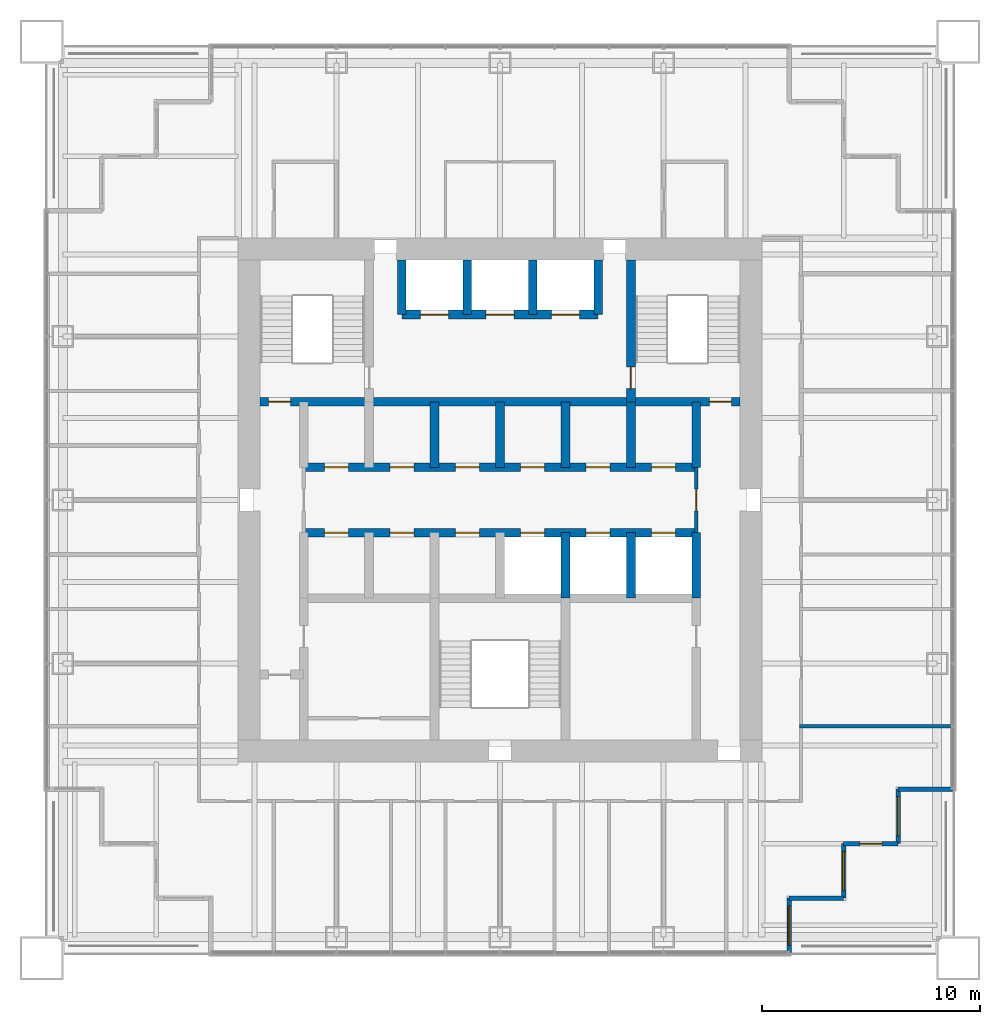
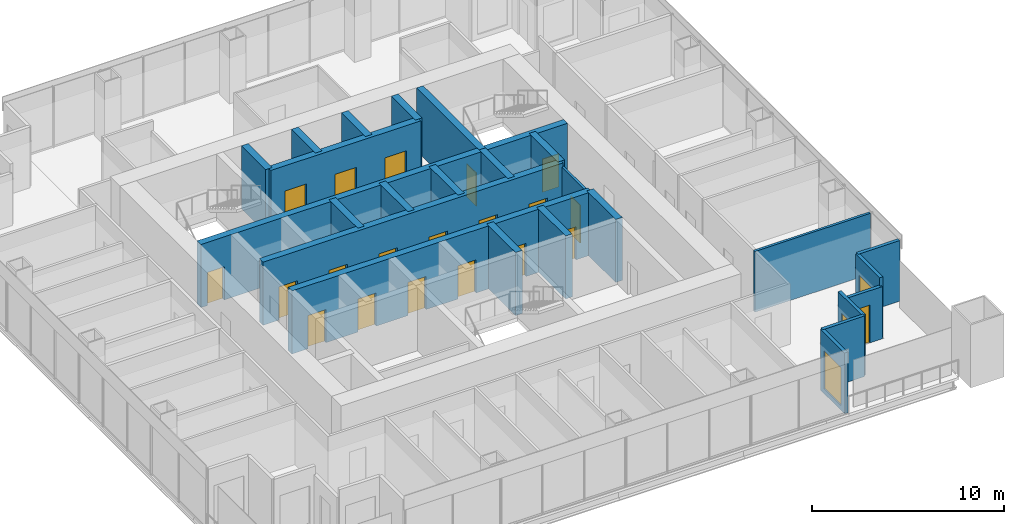
# One storey, part 11 of 15: 25 walls, 20 doors, 3 windows, 23 openings.
"""IFC4 building model written with IfcOpenShell, lengths in metres."""

from ifc_helpers import new_model, si_unit, direction, frame, frame_2d, origin, place, context, subcontext, project, spatial, rectangle, extrude, material, layer, layer_set, type_object, element, fill, save


model = new_model("IFC4")

# Units and contexts
model_context = context("Model", 3, precision=1e-05, world=origin(), true_north=direction((0.0, 1.0)))
body_context = subcontext(model_context, "Body", "Model", "MODEL_VIEW")
ifc_project = project(units=[si_unit("LENGTHUNIT", "METRE"), si_unit("AREAUNIT", "SQUARE_METRE"), si_unit("VOLUMEUNIT", "CUBIC_METRE"), si_unit("PLANEANGLEUNIT", "RADIAN"), si_unit("MASSUNIT", "GRAM", prefix="KILO")], contexts=[model_context])

# Site, building, storey
site_placement = place(None, origin())
site = spatial("IfcSite", under=ifc_project, at=site_placement, CompositionType="ELEMENT")
building_placement = place(site_placement, origin())
building = spatial("IfcBuilding", under=site, at=building_placement, Name="Tarangal Relay Tower", CompositionType="ELEMENT")
storey_placement = place(building_placement, frame((0.0, 0.0, 299.89990234375)))
storey = spatial("IfcBuildingStorey", under=building, at=storey_placement, Name="L66", CompositionType="ELEMENT", Elevation=299.89990234375)

# Wall, openings, doors
ifc_material_1 = material(Name="Concrete fc' 60 MPa", Category="concrete")
ifc_layer_1 = layer(ifc_material_1, 0.39990234375)
ifc_layer_set_1 = layer_set([ifc_layer_1], Name="Core inner wall 400")
wall_type_1 = type_object("IfcWallType", Name="Core inner wall 400", PredefinedType="SHEAR", material=ifc_layer_set_1)
wall_1_placement = place(storey_placement, frame((-11.0, 4.5, 0.0), z_axis=(0.0, 0.0, 1.0), x_axis=(1.0, 0.0, 0.0)))
wall_1 = element("IfcWall", 1, at=wall_1_placement, inside=storey, type_object=wall_type_1, Name="Core wall Y45 L66", PredefinedType="SHEAR", context=body_context, shape_type="SweptSolid", body=[
    extrude(rectangle(XDim=22.0, YDim=0.39990234375, at=frame_2d((11.0, 0.0))), origin(), (0.0, 0.0, 1.0), 4.0),
])
opening_1_placement = place(wall_1_placement, frame((0.39990234375, 0.0, 0.0)))
opening_1 = element("IfcOpeningElement", 2, at=opening_1_placement, cuts=wall_1, Name="Opening FD1", PredefinedType="OPENING", context=body_context, shape_type="SweptSolid", body=[
    extrude(rectangle(XDim=1.0, YDim=2.10009765625, at=frame_2d((0.5, 1.050048828125))), frame((0.0, 0.2099609375, 0.0), z_axis=(0.0, -1.0, 0.0), x_axis=(1.0, 0.0, 0.0)), (0.0, 0.0, 1.0), 0.419921875),
])
opening_2_placement = place(wall_1_placement, frame((20.60009765625, 0.0, 0.0)))
opening_2 = element("IfcOpeningElement", 3, at=opening_2_placement, cuts=wall_1, Name="Opening FD1", PredefinedType="OPENING", context=body_context, shape_type="SweptSolid", body=[
    extrude(rectangle(XDim=1.0, YDim=2.10009765625, at=frame_2d((0.5, 1.050048828125))), frame((0.0, 0.2099609375, 0.0), z_axis=(0.0, -1.0, 0.0), x_axis=(1.0, 0.0, 0.0)), (0.0, 0.0, 1.0), 0.419921875),
])
ifc_material_2 = material(Name="Steel door with hardwood frame", Category="steel")
door_type_1 = type_object("IfcDoorType", Name="Fire door 1000 x 2100", OperationType="SINGLE_SWING_LEFT", PredefinedType="DOOR", material=ifc_material_2)
door_1_placement = place(opening_1_placement, origin())
door_1 = element("IfcDoor", 4, at=door_1_placement, inside=storey, type_object=door_type_1, Name="Stair ST-A door from corridor L66", OperationType="SINGLE_SWING_LEFT", OverallHeight=2.10009765625, OverallWidth=1.0, PredefinedType="DOOR", context=body_context, shape_type="SweptSolid", body=[
    extrude(rectangle(XDim=1.0, YDim=2.10009765625, at=frame_2d((0.5, 1.050048828125))), frame((0.0, 0.02490234375, 0.0), z_axis=(0.0, -1.0, 0.0), x_axis=(1.0, 0.0, 0.0)), (0.0, 0.0, 1.0), 0.050048828125),
])
fill(opening_1, door_1)
door_2_placement = place(opening_2_placement, origin())
door_2 = element("IfcDoor", 5, at=door_2_placement, inside=storey, type_object=door_type_1, Name="Stair ST-B door from corridor L66", OperationType="SINGLE_SWING_LEFT", OverallHeight=2.10009765625, OverallWidth=1.0, PredefinedType="DOOR", context=body_context, shape_type="SweptSolid", body=[
    extrude(rectangle(XDim=1.0, YDim=2.10009765625, at=frame_2d((0.5, 1.050048828125))), frame((0.0, 0.02490234375, 0.0), z_axis=(0.0, -1.0, 0.0), x_axis=(1.0, 0.0, 0.0)), (0.0, 0.0, 1.0), 0.050048828125),
])
fill(opening_2, door_2)

wall_2_placement = place(storey_placement, frame((-9.0, 1.5, 0.0), z_axis=(0.0, 0.0, 1.0), x_axis=(1.0, 0.0, 0.0)))
wall_2 = element("IfcWall", 6, at=wall_2_placement, inside=storey, type_object=wall_type_1, Name="Core wall Y15 L66", PredefinedType="SHEAR", context=body_context, shape_type="SweptSolid", body=[
    extrude(rectangle(XDim=18.0, YDim=0.39990234375, at=frame_2d((9.0, 0.0))), origin(), (0.0, 0.0, 1.0), 4.0),
])
opening_3_placement = place(wall_2_placement, frame((0.949951171875, 0.0, 0.0)))
opening_3 = element("IfcOpeningElement", 7, at=opening_3_placement, cuts=wall_2, Name="Opening D4", PredefinedType="OPENING", context=body_context, shape_type="SweptSolid", body=[
    extrude(rectangle(XDim=1.10009765625, YDim=2.10009765625, at=frame_2d((0.550048828125, 1.050048828125))), frame((0.0, 0.2099609375, 0.0), z_axis=(0.0, -1.0, 0.0), x_axis=(1.0, 0.0, 0.0)), (0.0, 0.0, 1.0), 0.419921875),
])
opening_4_placement = place(wall_2_placement, frame((3.949951171875, 0.0, 0.0)))
opening_4 = element("IfcOpeningElement", 8, at=opening_4_placement, cuts=wall_2, Name="Opening D4", PredefinedType="OPENING", context=body_context, shape_type="SweptSolid", body=[
    extrude(rectangle(XDim=1.10009765625, YDim=2.10009765625, at=frame_2d((0.550048828125, 1.050048828125))), frame((0.0, 0.2099609375, 0.0), z_axis=(0.0, -1.0, 0.0), x_axis=(1.0, 0.0, 0.0)), (0.0, 0.0, 1.0), 0.419921875),
])
opening_5_placement = place(wall_2_placement, frame((6.949951171875, 0.0, 0.0)))
opening_5 = element("IfcOpeningElement", 9, at=opening_5_placement, cuts=wall_2, Name="Opening D4", PredefinedType="OPENING", context=body_context, shape_type="SweptSolid", body=[
    extrude(rectangle(XDim=1.10009765625, YDim=2.10009765625, at=frame_2d((0.550048828125, 1.050048828125))), frame((0.0, 0.2099609375, 0.0), z_axis=(0.0, -1.0, 0.0), x_axis=(1.0, 0.0, 0.0)), (0.0, 0.0, 1.0), 0.419921875),
])
opening_6_placement = place(wall_2_placement, frame((9.949951171875, 0.0, 0.0)))
opening_6 = element("IfcOpeningElement", 10, at=opening_6_placement, cuts=wall_2, Name="Opening D4", PredefinedType="OPENING", context=body_context, shape_type="SweptSolid", body=[
    extrude(rectangle(XDim=1.10009765625, YDim=2.10009765625, at=frame_2d((0.550048828125, 1.050048828125))), frame((0.0, 0.2099609375, 0.0), z_axis=(0.0, -1.0, 0.0), x_axis=(1.0, 0.0, 0.0)), (0.0, 0.0, 1.0), 0.419921875),
])
opening_7_placement = place(wall_2_placement, frame((12.949951171875, 0.0, 0.0)))
opening_7 = element("IfcOpeningElement", 11, at=opening_7_placement, cuts=wall_2, Name="Opening D4", PredefinedType="OPENING", context=body_context, shape_type="SweptSolid", body=[
    extrude(rectangle(XDim=1.10009765625, YDim=2.10009765625, at=frame_2d((0.550048828125, 1.050048828125))), frame((0.0, 0.2099609375, 0.0), z_axis=(0.0, -1.0, 0.0), x_axis=(1.0, 0.0, 0.0)), (0.0, 0.0, 1.0), 0.419921875),
])
opening_8_placement = place(wall_2_placement, frame((15.949951171875, 0.0, 0.0)))
opening_8 = element("IfcOpeningElement", 12, at=opening_8_placement, cuts=wall_2, Name="Opening D4", PredefinedType="OPENING", context=body_context, shape_type="SweptSolid", body=[
    extrude(rectangle(XDim=1.10009765625, YDim=2.10009765625, at=frame_2d((0.550048828125, 1.050048828125))), frame((0.0, 0.2099609375, 0.0), z_axis=(0.0, -1.0, 0.0), x_axis=(1.0, 0.0, 0.0)), (0.0, 0.0, 1.0), 0.419921875),
])
door_type_2 = type_object("IfcDoorType", Name="Core room door 1100 x 2100", OperationType="SINGLE_SWING_RIGHT", PredefinedType="DOOR", material=ifc_material_2)
door_3_placement = place(opening_3_placement, origin())
door_3 = element("IfcDoor", 13, at=door_3_placement, inside=storey, type_object=door_type_2, Name="Door D4 to it room L66-D1", OperationType="SINGLE_SWING_RIGHT", OverallHeight=2.10009765625, OverallWidth=1.10009765625, PredefinedType="DOOR", context=body_context, shape_type="SweptSolid", body=[
    extrude(rectangle(XDim=1.10009765625, YDim=2.10009765625, at=frame_2d((0.550048828125, 1.050048828125))), frame((0.0, 0.02490234375, 0.0), z_axis=(0.0, -1.0, 0.0), x_axis=(1.0, 0.0, 0.0)), (0.0, 0.0, 1.0), 0.050048828125),
])
fill(opening_3, door_3)
door_4_placement = place(opening_4_placement, origin())
door_4 = element("IfcDoor", 14, at=door_4_placement, inside=storey, type_object=door_type_2, Name="Door D4 to cleaner's store L66-D2", OperationType="SINGLE_SWING_RIGHT", OverallHeight=2.10009765625, OverallWidth=1.10009765625, PredefinedType="DOOR", context=body_context, shape_type="SweptSolid", body=[
    extrude(rectangle(XDim=1.10009765625, YDim=2.10009765625, at=frame_2d((0.550048828125, 1.050048828125))), frame((0.0, 0.02490234375, 0.0), z_axis=(0.0, -1.0, 0.0), x_axis=(1.0, 0.0, 0.0)), (0.0, 0.0, 1.0), 0.050048828125),
])
fill(opening_4, door_4)
door_5_placement = place(opening_5_placement, origin())
door_5 = element("IfcDoor", 15, at=door_5_placement, inside=storey, type_object=door_type_2, Name="Door D4 to staff wc L66-D3", OperationType="SINGLE_SWING_RIGHT", OverallHeight=2.10009765625, OverallWidth=1.10009765625, PredefinedType="DOOR", context=body_context, shape_type="SweptSolid", body=[
    extrude(rectangle(XDim=1.10009765625, YDim=2.10009765625, at=frame_2d((0.550048828125, 1.050048828125))), frame((0.0, 0.02490234375, 0.0), z_axis=(0.0, -1.0, 0.0), x_axis=(1.0, 0.0, 0.0)), (0.0, 0.0, 1.0), 0.050048828125),
])
fill(opening_5, door_5)
door_6_placement = place(opening_6_placement, origin())
door_6 = element("IfcDoor", 16, at=door_6_placement, inside=storey, type_object=door_type_2, Name="Door D4 to staff pantry L66-T1", OperationType="SINGLE_SWING_RIGHT", OverallHeight=2.10009765625, OverallWidth=1.10009765625, PredefinedType="DOOR", context=body_context, shape_type="SweptSolid", body=[
    extrude(rectangle(XDim=1.10009765625, YDim=2.10009765625, at=frame_2d((0.550048828125, 1.050048828125))), frame((0.0, 0.02490234375, 0.0), z_axis=(0.0, -1.0, 0.0), x_axis=(1.0, 0.0, 0.0)), (0.0, 0.0, 1.0), 0.050048828125),
])
fill(opening_6, door_6)
door_7_placement = place(opening_7_placement, origin())
door_7 = element("IfcDoor", 17, at=door_7_placement, inside=storey, type_object=door_type_2, Name="Door D4 to it room L66-T2", OperationType="SINGLE_SWING_RIGHT", OverallHeight=2.10009765625, OverallWidth=1.10009765625, PredefinedType="DOOR", context=body_context, shape_type="SweptSolid", body=[
    extrude(rectangle(XDim=1.10009765625, YDim=2.10009765625, at=frame_2d((0.550048828125, 1.050048828125))), frame((0.0, 0.02490234375, 0.0), z_axis=(0.0, -1.0, 0.0), x_axis=(1.0, 0.0, 0.0)), (0.0, 0.0, 1.0), 0.050048828125),
])
fill(opening_7, door_7)
door_8_placement = place(opening_8_placement, origin())
door_8 = element("IfcDoor", 18, at=door_8_placement, inside=storey, type_object=door_type_2, Name="Door D4 to cleaner's store L66-T3", OperationType="SINGLE_SWING_RIGHT", OverallHeight=2.10009765625, OverallWidth=1.10009765625, PredefinedType="DOOR", context=body_context, shape_type="SweptSolid", body=[
    extrude(rectangle(XDim=1.10009765625, YDim=2.10009765625, at=frame_2d((0.550048828125, 1.050048828125))), frame((0.0, 0.02490234375, 0.0), z_axis=(0.0, -1.0, 0.0), x_axis=(1.0, 0.0, 0.0)), (0.0, 0.0, 1.0), 0.050048828125),
])
fill(opening_8, door_8)

wall_3_placement = place(storey_placement, frame((-9.0, -1.5, 0.0), z_axis=(0.0, 0.0, 1.0), x_axis=(1.0, 0.0, 0.0)))
wall_3 = element("IfcWall", 19, at=wall_3_placement, inside=storey, type_object=wall_type_1, Name="Core wall YM15 L66", PredefinedType="SHEAR", context=body_context, shape_type="SweptSolid", body=[
    extrude(rectangle(XDim=18.0, YDim=0.39990234375, at=frame_2d((9.0, 0.0))), origin(), (0.0, 0.0, 1.0), 4.0),
])
opening_9_placement = place(wall_3_placement, frame((9.949951171875, 0.0, 0.0)))
opening_9 = element("IfcOpeningElement", 20, at=opening_9_placement, cuts=wall_3, Name="Opening LD1", PredefinedType="OPENING", context=body_context, shape_type="SweptSolid", body=[
    extrude(rectangle(XDim=1.10009765625, YDim=2.10009765625, at=frame_2d((0.550048828125, 1.050048828125))), frame((0.0, 0.2099609375, 0.0), z_axis=(0.0, -1.0, 0.0), x_axis=(1.0, 0.0, 0.0)), (0.0, 0.0, 1.0), 0.419921875),
])
opening_10_placement = place(wall_3_placement, frame((12.949951171875, 0.0, 0.0)))
opening_10 = element("IfcOpeningElement", 21, at=opening_10_placement, cuts=wall_3, Name="Opening LD1", PredefinedType="OPENING", context=body_context, shape_type="SweptSolid", body=[
    extrude(rectangle(XDim=1.10009765625, YDim=2.10009765625, at=frame_2d((0.550048828125, 1.050048828125))), frame((0.0, 0.2099609375, 0.0), z_axis=(0.0, -1.0, 0.0), x_axis=(1.0, 0.0, 0.0)), (0.0, 0.0, 1.0), 0.419921875),
])
opening_11_placement = place(wall_3_placement, frame((15.949951171875, 0.0, 0.0)))
opening_11 = element("IfcOpeningElement", 22, at=opening_11_placement, cuts=wall_3, Name="Opening LD1", PredefinedType="OPENING", context=body_context, shape_type="SweptSolid", body=[
    extrude(rectangle(XDim=1.10009765625, YDim=2.10009765625, at=frame_2d((0.550048828125, 1.050048828125))), frame((0.0, 0.2099609375, 0.0), z_axis=(0.0, -1.0, 0.0), x_axis=(1.0, 0.0, 0.0)), (0.0, 0.0, 1.0), 0.419921875),
])
opening_12_placement = place(wall_3_placement, frame((0.949951171875, 0.0, 0.0)))
opening_12 = element("IfcOpeningElement", 23, at=opening_12_placement, cuts=wall_3, Name="Opening D4", PredefinedType="OPENING", context=body_context, shape_type="SweptSolid", body=[
    extrude(rectangle(XDim=1.10009765625, YDim=2.10009765625, at=frame_2d((0.550048828125, 1.050048828125))), frame((0.0, 0.2099609375, 0.0), z_axis=(0.0, -1.0, 0.0), x_axis=(1.0, 0.0, 0.0)), (0.0, 0.0, 1.0), 0.419921875),
])
opening_13_placement = place(wall_3_placement, frame((3.949951171875, 0.0, 0.0)))
opening_13 = element("IfcOpeningElement", 24, at=opening_13_placement, cuts=wall_3, Name="Opening D4", PredefinedType="OPENING", context=body_context, shape_type="SweptSolid", body=[
    extrude(rectangle(XDim=1.10009765625, YDim=2.10009765625, at=frame_2d((0.550048828125, 1.050048828125))), frame((0.0, 0.2099609375, 0.0), z_axis=(0.0, -1.0, 0.0), x_axis=(1.0, 0.0, 0.0)), (0.0, 0.0, 1.0), 0.419921875),
])
opening_14_placement = place(wall_3_placement, frame((6.949951171875, 0.0, 0.0)))
opening_14 = element("IfcOpeningElement", 25, at=opening_14_placement, cuts=wall_3, Name="Opening D4", PredefinedType="OPENING", context=body_context, shape_type="SweptSolid", body=[
    extrude(rectangle(XDim=1.10009765625, YDim=2.10009765625, at=frame_2d((0.550048828125, 1.050048828125))), frame((0.0, 0.2099609375, 0.0), z_axis=(0.0, -1.0, 0.0), x_axis=(1.0, 0.0, 0.0)), (0.0, 0.0, 1.0), 0.419921875),
])
door_9_placement = place(opening_12_placement, origin())
door_9 = element("IfcDoor", 26, at=door_9_placement, inside=storey, type_object=door_type_2, Name="Door D4 to staff wc L66-S1", OperationType="SINGLE_SWING_RIGHT", OverallHeight=2.10009765625, OverallWidth=1.10009765625, PredefinedType="DOOR", context=body_context, shape_type="SweptSolid", body=[
    extrude(rectangle(XDim=1.10009765625, YDim=2.10009765625, at=frame_2d((0.550048828125, 1.050048828125))), frame((0.0, 0.02490234375, 0.0), z_axis=(0.0, -1.0, 0.0), x_axis=(1.0, 0.0, 0.0)), (0.0, 0.0, 1.0), 0.050048828125),
])
fill(opening_12, door_9)
door_10_placement = place(opening_13_placement, origin())
door_10 = element("IfcDoor", 27, at=door_10_placement, inside=storey, type_object=door_type_2, Name="Door D4 to staff pantry L66-S2", OperationType="SINGLE_SWING_RIGHT", OverallHeight=2.10009765625, OverallWidth=1.10009765625, PredefinedType="DOOR", context=body_context, shape_type="SweptSolid", body=[
    extrude(rectangle(XDim=1.10009765625, YDim=2.10009765625, at=frame_2d((0.550048828125, 1.050048828125))), frame((0.0, 0.02490234375, 0.0), z_axis=(0.0, -1.0, 0.0), x_axis=(1.0, 0.0, 0.0)), (0.0, 0.0, 1.0), 0.050048828125),
])
fill(opening_13, door_10)
door_11_placement = place(opening_14_placement, origin())
door_11 = element("IfcDoor", 28, at=door_11_placement, inside=storey, type_object=door_type_2, Name="Door D4 to it room L66-S3", OperationType="SINGLE_SWING_RIGHT", OverallHeight=2.10009765625, OverallWidth=1.10009765625, PredefinedType="DOOR", context=body_context, shape_type="SweptSolid", body=[
    extrude(rectangle(XDim=1.10009765625, YDim=2.10009765625, at=frame_2d((0.550048828125, 1.050048828125))), frame((0.0, 0.02490234375, 0.0), z_axis=(0.0, -1.0, 0.0), x_axis=(1.0, 0.0, 0.0)), (0.0, 0.0, 1.0), 0.050048828125),
])
fill(opening_14, door_11)
door_type_3 = type_object("IfcDoorType", Name="Lift landing door 1100 x 2100", OperationType="SLIDING_TO_LEFT", PredefinedType="DOOR", material=ifc_material_2)
door_12_placement = place(opening_9_placement, origin())
door_12 = element("IfcDoor", 29, at=door_12_placement, inside=storey, type_object=door_type_3, Name="Lift OH1 landing door L66", OperationType="SLIDING_TO_LEFT", OverallHeight=2.10009765625, OverallWidth=1.10009765625, PredefinedType="DOOR", context=body_context, shape_type="SweptSolid", body=[
    extrude(rectangle(XDim=1.10009765625, YDim=2.10009765625, at=frame_2d((0.550048828125, 1.050048828125))), frame((0.0, 0.02490234375, 0.0), z_axis=(0.0, -1.0, 0.0), x_axis=(1.0, 0.0, 0.0)), (0.0, 0.0, 1.0), 0.050048828125),
])
fill(opening_9, door_12)
door_13_placement = place(opening_10_placement, origin())
door_13 = element("IfcDoor", 30, at=door_13_placement, inside=storey, type_object=door_type_3, Name="Lift OH2 landing door L66", OperationType="SLIDING_TO_LEFT", OverallHeight=2.10009765625, OverallWidth=1.10009765625, PredefinedType="DOOR", context=body_context, shape_type="SweptSolid", body=[
    extrude(rectangle(XDim=1.10009765625, YDim=2.10009765625, at=frame_2d((0.550048828125, 1.050048828125))), frame((0.0, 0.02490234375, 0.0), z_axis=(0.0, -1.0, 0.0), x_axis=(1.0, 0.0, 0.0)), (0.0, 0.0, 1.0), 0.050048828125),
])
fill(opening_10, door_13)
door_14_placement = place(opening_11_placement, origin())
door_14 = element("IfcDoor", 31, at=door_14_placement, inside=storey, type_object=door_type_3, Name="Lift OH3 landing door L66", OperationType="SLIDING_TO_LEFT", OverallHeight=2.10009765625, OverallWidth=1.10009765625, PredefinedType="DOOR", context=body_context, shape_type="SweptSolid", body=[
    extrude(rectangle(XDim=1.10009765625, YDim=2.10009765625, at=frame_2d((0.550048828125, 1.050048828125))), frame((0.0, 0.02490234375, 0.0), z_axis=(0.0, -1.0, 0.0), x_axis=(1.0, 0.0, 0.0)), (0.0, 0.0, 1.0), 0.050048828125),
])
fill(opening_11, door_14)

wall_4_placement = place(storey_placement, frame((-4.5, 8.5, 0.0), z_axis=(0.0, 0.0, 1.0), x_axis=(1.0, 0.0, 0.0)))
wall_4 = element("IfcWall", 32, at=wall_4_placement, inside=storey, type_object=wall_type_1, Name="Core wall Y85 L66", PredefinedType="SHEAR", context=body_context, shape_type="SweptSolid", body=[
    extrude(rectangle(XDim=9.0, YDim=0.39990234375, at=frame_2d((4.5, 0.0))), origin(), (0.0, 0.0, 1.0), 4.0),
])
opening_15_placement = place(wall_4_placement, frame((0.85009765625, 0.0, 0.0)))
opening_15 = element("IfcOpeningElement", 33, at=opening_15_placement, cuts=wall_4, Name="Opening LD2", PredefinedType="OPENING", context=body_context, shape_type="SweptSolid", body=[
    extrude(rectangle(XDim=1.300048828125, YDim=2.39990234375, at=frame_2d((0.64990234375, 1.199951171875))), frame((0.0, 0.2099609375, 0.0), z_axis=(0.0, -1.0, 0.0), x_axis=(1.0, 0.0, 0.0)), (0.0, 0.0, 1.0), 0.419921875),
])
opening_16_placement = place(wall_4_placement, frame((6.85009765625, 0.0, 0.0)))
opening_16 = element("IfcOpeningElement", 34, at=opening_16_placement, cuts=wall_4, Name="Opening LD2", PredefinedType="OPENING", context=body_context, shape_type="SweptSolid", body=[
    extrude(rectangle(XDim=1.300048828125, YDim=2.39990234375, at=frame_2d((0.64990234375, 1.199951171875))), frame((0.0, 0.2099609375, 0.0), z_axis=(0.0, -1.0, 0.0), x_axis=(1.0, 0.0, 0.0)), (0.0, 0.0, 1.0), 0.419921875),
])
opening_17_placement = place(wall_4_placement, frame((3.85009765625, 0.0, 0.0)))
opening_17 = element("IfcOpeningElement", 35, at=opening_17_placement, cuts=wall_4, Name="Opening LD2", PredefinedType="OPENING", context=body_context, shape_type="SweptSolid", body=[
    extrude(rectangle(XDim=1.300048828125, YDim=2.39990234375, at=frame_2d((0.64990234375, 1.199951171875))), frame((0.0, 0.2099609375, 0.0), z_axis=(0.0, -1.0, 0.0), x_axis=(1.0, 0.0, 0.0)), (0.0, 0.0, 1.0), 0.419921875),
])
door_type_4 = type_object("IfcDoorType", Name="Lift landing door 1300 x 2400", OperationType="SLIDING_TO_LEFT", PredefinedType="DOOR", material=ifc_material_2)
door_15_placement = place(opening_15_placement, origin())
door_15 = element("IfcDoor", 36, at=door_15_placement, inside=storey, type_object=door_type_4, Name="Lift FF1 landing door L66", OperationType="SLIDING_TO_LEFT", OverallHeight=2.39990234375, OverallWidth=1.300048828125, PredefinedType="DOOR", context=body_context, shape_type="SweptSolid", body=[
    extrude(rectangle(XDim=1.300048828125, YDim=2.39990234375, at=frame_2d((0.64990234375, 1.199951171875))), frame((0.0, 0.02490234375, 0.0), z_axis=(0.0, -1.0, 0.0), x_axis=(1.0, 0.0, 0.0)), (0.0, 0.0, 1.0), 0.050048828125),
])
fill(opening_15, door_15)
door_16_placement = place(opening_16_placement, origin())
door_16 = element("IfcDoor", 37, at=door_16_placement, inside=storey, type_object=door_type_4, Name="Lift FF2 landing door L66", OperationType="SLIDING_TO_LEFT", OverallHeight=2.39990234375, OverallWidth=1.300048828125, PredefinedType="DOOR", context=body_context, shape_type="SweptSolid", body=[
    extrude(rectangle(XDim=1.300048828125, YDim=2.39990234375, at=frame_2d((0.64990234375, 1.199951171875))), frame((0.0, 0.02490234375, 0.0), z_axis=(0.0, -1.0, 0.0), x_axis=(1.0, 0.0, 0.0)), (0.0, 0.0, 1.0), 0.050048828125),
])
fill(opening_16, door_16)
door_17_placement = place(opening_17_placement, origin())
door_17 = element("IfcDoor", 38, at=door_17_placement, inside=storey, type_object=door_type_4, Name="Lift SV1 landing door L66", OperationType="SLIDING_TO_LEFT", OverallHeight=2.39990234375, OverallWidth=1.300048828125, PredefinedType="DOOR", context=body_context, shape_type="SweptSolid", body=[
    extrude(rectangle(XDim=1.300048828125, YDim=2.39990234375, at=frame_2d((0.64990234375, 1.199951171875))), frame((0.0, 0.02490234375, 0.0), z_axis=(0.0, -1.0, 0.0), x_axis=(1.0, 0.0, 0.0)), (0.0, 0.0, 1.0), 0.050048828125),
])
fill(opening_17, door_17)

# Walls
for number, where, z_axis, x_axis, name in (
    (39, (9.0, 1.5, 0.0), (0.0, 0.0, 1.0), (0.0, 1.0, 0.0), "Core wall X9N L66"),
    (40, (9.0, -4.5, 0.0), (0.0, 0.0, 1.0), (0.0, 1.0, 0.0), "Core wall X9S L66"),
    (41, (-3.0, 1.5, 0.0), (0.0, 0.0, 1.0), (0.0, 1.0, 0.0), "Core wall XM3N L66"),
    (42, (0.0, 1.5, 0.0), (0.0, 0.0, 1.0), (0.0, 1.0, 0.0), "Core wall X0N L66"),
    (43, (3.0, 1.5, 0.0), (0.0, 0.0, 1.0), (0.0, 1.0, 0.0), "Core wall X3N L66"),
    (44, (6.0, 1.5, 0.0), (0.0, 0.0, 1.0), (0.0, 1.0, 0.0), "Core wall X6N L66"),
    (45, (3.0, -4.5, 0.0), (0.0, 0.0, 1.0), (0.0, 1.0, 0.0), "Core wall X3S L66"),
    (46, (6.0, -4.5, 0.0), (0.0, 0.0, 1.0), (0.0, 1.0, 0.0), "Core wall X6S L66"),
):
    element("IfcWall", number, at=place(storey_placement, frame(where, z_axis=z_axis, x_axis=x_axis)), inside=storey, type_object=wall_type_1, Name=name, PredefinedType="SHEAR", context=body_context, shape_type="SweptSolid", body=[
        extrude(rectangle(XDim=3.0, YDim=0.39990234375, at=frame_2d((1.5, 0.0))), origin(), (0.0, 0.0, 1.0), 4.0),
    ])

# Wall, opening, door
wall_5_placement = place(storey_placement, frame((6.0, 4.5, 0.0), z_axis=(0.0, 0.0, 1.0), x_axis=(0.0, 1.0, 0.0)))
wall_5 = element("IfcWall", 47, at=wall_5_placement, inside=storey, type_object=wall_type_1, Name="Core wall X6 L66", PredefinedType="SHEAR", context=body_context, shape_type="SweptSolid", body=[
    extrude(rectangle(XDim=6.5, YDim=0.39990234375, at=frame_2d((3.25, 0.0))), origin(), (0.0, 0.0, 1.0), 4.0),
])
opening_18_placement = place(wall_5_placement, frame((0.60009765625, 0.0, 0.0)))
opening_18 = element("IfcOpeningElement", 48, at=opening_18_placement, cuts=wall_5, Name="Opening FD1", PredefinedType="OPENING", context=body_context, shape_type="SweptSolid", body=[
    extrude(rectangle(XDim=1.0, YDim=2.10009765625, at=frame_2d((0.5, 1.050048828125))), frame((0.0, 0.2099609375, 0.0), z_axis=(0.0, -1.0, 0.0), x_axis=(1.0, 0.0, 0.0)), (0.0, 0.0, 1.0), 0.419921875),
])
door_18_placement = place(opening_18_placement, origin())
door_18 = element("IfcDoor", 49, at=door_18_placement, inside=storey, type_object=door_type_1, Name="Stair ST-B door from fire-fighting lobby L66", OperationType="SINGLE_SWING_LEFT", OverallHeight=2.10009765625, OverallWidth=1.0, PredefinedType="DOOR", context=body_context, shape_type="SweptSolid", body=[
    extrude(rectangle(XDim=1.0, YDim=2.10009765625, at=frame_2d((0.5, 1.050048828125))), frame((0.0, 0.02490234375, 0.0), z_axis=(0.0, -1.0, 0.0), x_axis=(1.0, 0.0, 0.0)), (0.0, 0.0, 1.0), 0.050048828125),
])
fill(opening_18, door_18)

# Walls
for number, where, z_axis, x_axis, name in (
    (50, (-4.5, 8.5, 0.0), (0.0, 0.0, 1.0), (0.0, 1.0, 0.0), "Core wall XM45 L66"),
    (51, (4.5, 8.5, 0.0), (0.0, 0.0, 1.0), (0.0, 1.0, 0.0), "Core wall X45 L66"),
    (52, (-1.5, 8.5, 0.0), (0.0, 0.0, 1.0), (0.0, 1.0, 0.0), "Core wall XM15 L66"),
    (53, (1.5, 8.5, 0.0), (0.0, 0.0, 1.0), (0.0, 1.0, 0.0), "Core wall X15 L66"),
):
    element("IfcWall", number, at=place(storey_placement, frame(where, z_axis=z_axis, x_axis=x_axis)), inside=storey, type_object=wall_type_1, Name=name, PredefinedType="SHEAR", context=body_context, shape_type="SweptSolid", body=[
        extrude(rectangle(XDim=2.5, YDim=0.39990234375, at=frame_2d((1.25, 0.0))), origin(), (0.0, 0.0, 1.0), 4.0),
    ])
ifc_material_3 = material(Name="Black metal clad insulated wall", Category="steel")
ifc_layer_2 = layer(ifc_material_3, 0.199951171875)
ifc_layer_set_2 = layer_set([ifc_layer_2], Name="Corner wall metal clad 200")
wall_type_2 = type_object("IfcWallType", Name="Corner wall metal clad 200", PredefinedType="SOLIDWALL", material=ifc_layer_set_2)
wall_6_placement = place(storey_placement, frame((20.75, -13.25, 0.0), z_axis=(0.0, 0.0, 1.0), x_axis=(-1.0, 0.0, 0.0)))
element("IfcWall", 54, at=wall_6_placement, inside=storey, type_object=wall_type_2, Name="Facade wall E facade L66", PredefinedType="SOLIDWALL", context=body_context, shape_type="SweptSolid", body=[
    extrude(rectangle(XDim=2.5, YDim=0.199951171875, at=frame_2d((1.25, 0.0))), origin(), (0.0, 0.0, 1.0), 3.85009765625),
])

# Wall, opening, window
wall_7_placement = place(storey_placement, frame((18.25, -13.25, 0.0), z_axis=(0.0, 0.0, 1.0), x_axis=(0.0, -1.0, 0.0)))
wall_7 = element("IfcWall", 55, at=wall_7_placement, inside=storey, type_object=wall_type_2, Name="Facade wall E facade L66", PredefinedType="SOLIDWALL", context=body_context, shape_type="SweptSolid", body=[
    extrude(rectangle(XDim=2.5, YDim=0.199951171875, at=frame_2d((1.25, 0.0))), origin(), (0.0, 0.0, 1.0), 3.85009765625),
])
opening_19_placement = place(wall_7_placement, frame((0.35009765625, 0.0, 0.300048828125)))
opening_19 = element("IfcOpeningElement", 56, at=opening_19_placement, cuts=wall_7, Name="Opening WN2", PredefinedType="OPENING", context=body_context, shape_type="SweptSolid", body=[
    extrude(rectangle(XDim=1.800048828125, YDim=2.39990234375, at=frame_2d((0.89990234375, 1.199951171875))), frame((0.0, 0.10986328125, 0.0), z_axis=(0.0, -1.0, 0.0), x_axis=(1.0, 0.0, 0.0)), (0.0, 0.0, 1.0), 0.219970703125),
])
ifc_material_4 = material(Name="Dark tinted double glazing in black aluminium frame", Category="aluminium")
window_type = type_object("IfcWindowType", Name="Corner window 1800 x 2400", PartitioningType="SINGLE_PANEL", PredefinedType="WINDOW", material=ifc_material_4)
window_1_placement = place(opening_19_placement, origin())
window_1 = element("IfcWindow", 57, at=window_1_placement, inside=storey, type_object=window_type, Name="Corner window WN2 E facade L66", OverallHeight=2.39990234375, OverallWidth=1.800048828125, PartitioningType="SINGLE_PANEL", PredefinedType="WINDOW", context=body_context, shape_type="SweptSolid", body=[
    extrude(rectangle(XDim=1.800048828125, YDim=2.39990234375, at=frame_2d((0.89990234375, 1.199951171875))), frame((0.0, 0.030029296875, 0.0), z_axis=(0.0, -1.0, 0.0), x_axis=(1.0, 0.0, 0.0)), (0.0, 0.0, 1.0), 0.06005859375),
])
fill(opening_19, window_1)

# Wall, opening, door
wall_8_placement = place(storey_placement, frame((18.25, -15.75, 0.0), z_axis=(0.0, 0.0, 1.0), x_axis=(-1.0, 0.0, 0.0)))
wall_8 = element("IfcWall", 58, at=wall_8_placement, inside=storey, type_object=wall_type_2, Name="Facade wall E facade L66", PredefinedType="SOLIDWALL", context=body_context, shape_type="SweptSolid", body=[
    extrude(rectangle(XDim=2.5, YDim=0.199951171875, at=frame_2d((1.25, 0.0))), origin(), (0.0, 0.0, 1.0), 3.316650390625),
])
opening_20_placement = place(wall_8_placement, frame((0.75, 0.0, 0.0)))
opening_20 = element("IfcOpeningElement", 59, at=opening_20_placement, cuts=wall_8, Name="Opening TD1", PredefinedType="OPENING", context=body_context, shape_type="SweptSolid", body=[
    extrude(rectangle(XDim=1.0, YDim=2.39990234375, at=frame_2d((0.5, 1.199951171875))), frame((0.0, 0.10986328125, 0.0), z_axis=(0.0, -1.0, 0.0), x_axis=(1.0, 0.0, 0.0)), (0.0, 0.0, 1.0), 0.219970703125),
])
ifc_material_5 = material(Name="Aluminium glazed door", Category="aluminium")
door_type_5 = type_object("IfcDoorType", Name="Terrace door 1000 x 2400", OperationType="SINGLE_SWING_RIGHT", PredefinedType="DOOR", material=ifc_material_5)
door_19_placement = place(opening_20_placement, origin())
door_19 = element("IfcDoor", 60, at=door_19_placement, inside=storey, type_object=door_type_5, Name="Terrace door TD1 SE L66", OperationType="SINGLE_SWING_RIGHT", OverallHeight=2.39990234375, OverallWidth=1.0, PredefinedType="DOOR", context=body_context, shape_type="SweptSolid", body=[
    extrude(rectangle(XDim=1.0, YDim=2.39990234375, at=frame_2d((0.5, 1.199951171875))), frame((0.0, 0.02490234375, 0.0), z_axis=(0.0, -1.0, 0.0), x_axis=(1.0, 0.0, 0.0)), (0.0, 0.0, 1.0), 0.050048828125),
])
fill(opening_20, door_19)

# Wall, opening, window
wall_9_placement = place(storey_placement, frame((15.75, -15.75, 0.0), z_axis=(0.0, 0.0, 1.0), x_axis=(0.0, -1.0, 0.0)))
wall_9 = element("IfcWall", 61, at=wall_9_placement, inside=storey, type_object=wall_type_2, Name="Facade wall E facade L66", PredefinedType="SOLIDWALL", context=body_context, shape_type="SweptSolid", body=[
    extrude(rectangle(XDim=2.5, YDim=0.199951171875, at=frame_2d((1.25, 0.0))), origin(), (0.0, 0.0, 1.0), 3.85009765625),
])
opening_21_placement = place(wall_9_placement, frame((0.35009765625, 0.0, 0.300048828125)))
opening_21 = element("IfcOpeningElement", 62, at=opening_21_placement, cuts=wall_9, Name="Opening WN2", PredefinedType="OPENING", context=body_context, shape_type="SweptSolid", body=[
    extrude(rectangle(XDim=1.800048828125, YDim=2.39990234375, at=frame_2d((0.89990234375, 1.199951171875))), frame((0.0, 0.10986328125, 0.0), z_axis=(0.0, -1.0, 0.0), x_axis=(1.0, 0.0, 0.0)), (0.0, 0.0, 1.0), 0.219970703125),
])
window_2_placement = place(opening_21_placement, origin())
window_2 = element("IfcWindow", 63, at=window_2_placement, inside=storey, type_object=window_type, Name="Corner window WN2 E facade L66", OverallHeight=2.39990234375, OverallWidth=1.800048828125, PartitioningType="SINGLE_PANEL", PredefinedType="WINDOW", context=body_context, shape_type="SweptSolid", body=[
    extrude(rectangle(XDim=1.800048828125, YDim=2.39990234375, at=frame_2d((0.89990234375, 1.199951171875))), frame((0.0, 0.030029296875, 0.0), z_axis=(0.0, -1.0, 0.0), x_axis=(1.0, 0.0, 0.0)), (0.0, 0.0, 1.0), 0.06005859375),
])
fill(opening_21, window_2)

# Wall
wall_10_placement = place(storey_placement, frame((15.75, -18.25, 0.0), z_axis=(0.0, 0.0, 1.0), x_axis=(-1.0, 0.0, 0.0)))
element("IfcWall", 64, at=wall_10_placement, inside=storey, type_object=wall_type_2, Name="Facade wall E facade L66", PredefinedType="SOLIDWALL", context=body_context, shape_type="SweptSolid", body=[
    extrude(rectangle(XDim=2.5, YDim=0.199951171875, at=frame_2d((1.25, 0.0))), origin(), (0.0, 0.0, 1.0), 3.85009765625),
])

# Wall, opening, window
wall_11_placement = place(storey_placement, frame((13.25, -18.25, 0.0), z_axis=(0.0, 0.0, 1.0), x_axis=(0.0, -1.0, 0.0)))
wall_11 = element("IfcWall", 65, at=wall_11_placement, inside=storey, type_object=wall_type_2, Name="Facade wall E facade L66", PredefinedType="SOLIDWALL", context=body_context, shape_type="SweptSolid", body=[
    extrude(rectangle(XDim=2.5, YDim=0.199951171875, at=frame_2d((1.25, 0.0))), origin(), (0.0, 0.0, 1.0), 3.85009765625),
])
opening_22_placement = place(wall_11_placement, frame((0.35009765625, 0.0, 0.300048828125)))
opening_22 = element("IfcOpeningElement", 66, at=opening_22_placement, cuts=wall_11, Name="Opening WN2", PredefinedType="OPENING", context=body_context, shape_type="SweptSolid", body=[
    extrude(rectangle(XDim=1.800048828125, YDim=2.39990234375, at=frame_2d((0.89990234375, 1.199951171875))), frame((0.0, 0.10986328125, 0.0), z_axis=(0.0, -1.0, 0.0), x_axis=(1.0, 0.0, 0.0)), (0.0, 0.0, 1.0), 0.219970703125),
])
window_3_placement = place(opening_22_placement, origin())
window_3 = element("IfcWindow", 67, at=window_3_placement, inside=storey, type_object=window_type, Name="Corner window WN2 E facade L66", OverallHeight=2.39990234375, OverallWidth=1.800048828125, PartitioningType="SINGLE_PANEL", PredefinedType="WINDOW", context=body_context, shape_type="SweptSolid", body=[
    extrude(rectangle(XDim=1.800048828125, YDim=2.39990234375, at=frame_2d((0.89990234375, 1.199951171875))), frame((0.0, 0.030029296875, 0.0), z_axis=(0.0, -1.0, 0.0), x_axis=(1.0, 0.0, 0.0)), (0.0, 0.0, 1.0), 0.06005859375),
])
fill(opening_22, window_3)

# Wall
ifc_material_6 = material(Name="Gypsum board on steel studs", Category="steel")
ifc_layer_3 = layer(ifc_material_6, 0.14990234375)
ifc_layer_set_3 = layer_set([ifc_layer_3], Name="Partition 150")
wall_type_3 = type_object("IfcWallType", Name="Partition 150", PredefinedType="PARTITIONING", material=ifc_layer_set_3)
wall_12_placement = place(storey_placement, frame((13.72509765625, -10.375, 0.0), z_axis=(0.0, 0.0, 1.0), x_axis=(1.0, 0.0, 0.0)))
element("IfcWall", 68, at=wall_12_placement, inside=storey, type_object=wall_type_3, Name="Partition PT1 L66", PredefinedType="PARTITIONING", context=body_context, shape_type="SweptSolid", body=[
    extrude(rectangle(XDim=6.9248046875, YDim=0.14990234375, at=frame_2d((3.46240234375, 0.0))), origin(), (0.0, 0.0, 1.0), 3.85009765625),
])

# Wall, opening, door
wall_13_placement = place(storey_placement, frame((9.0, -1.5, 0.0), z_axis=(0.0, 0.0, 1.0), x_axis=(0.0, 1.0, 0.0)))
wall_13 = element("IfcWall", 69, at=wall_13_placement, inside=storey, type_object=wall_type_3, Name="Partition PT1 L66", PredefinedType="PARTITIONING", context=body_context, shape_type="SweptSolid", body=[
    extrude(rectangle(XDim=3.0, YDim=0.14990234375, at=frame_2d((1.5, 0.0))), origin(), (0.0, 0.0, 1.0), 3.75),
])
opening_23_placement = place(wall_13_placement, frame((1.0, 0.0, 0.0)))
opening_23 = element("IfcOpeningElement", 70, at=opening_23_placement, cuts=wall_13, Name="Opening FD3", PredefinedType="OPENING", context=body_context, shape_type="SweptSolid", body=[
    extrude(rectangle(XDim=1.0, YDim=2.39990234375, at=frame_2d((0.5, 1.199951171875))), frame((0.0, 0.0849609375, 0.0), z_axis=(0.0, -1.0, 0.0), x_axis=(1.0, 0.0, 0.0)), (0.0, 0.0, 1.0), 0.169921875),
])
door_type_6 = type_object("IfcDoorType", Name="Fire door 1000 x 2400 core entry", OperationType="SINGLE_SWING_RIGHT", PredefinedType="DOOR", material=ifc_material_2)
door_20_placement = place(opening_23_placement, origin())
door_20 = element("IfcDoor", 71, at=door_20_placement, inside=storey, type_object=door_type_6, Name="Lift lobby door FD3 to the east corridor L66", OperationType="SINGLE_SWING_RIGHT", OverallHeight=2.39990234375, OverallWidth=1.0, PredefinedType="DOOR", context=body_context, shape_type="SweptSolid", body=[
    extrude(rectangle(XDim=1.0, YDim=2.39990234375, at=frame_2d((0.5, 1.199951171875))), frame((0.0, 0.02490234375, 0.0), z_axis=(0.0, -1.0, 0.0), x_axis=(1.0, 0.0, 0.0)), (0.0, 0.0, 1.0), 0.050048828125),
])
fill(opening_23, door_20)

save(model, "model.ifc")
